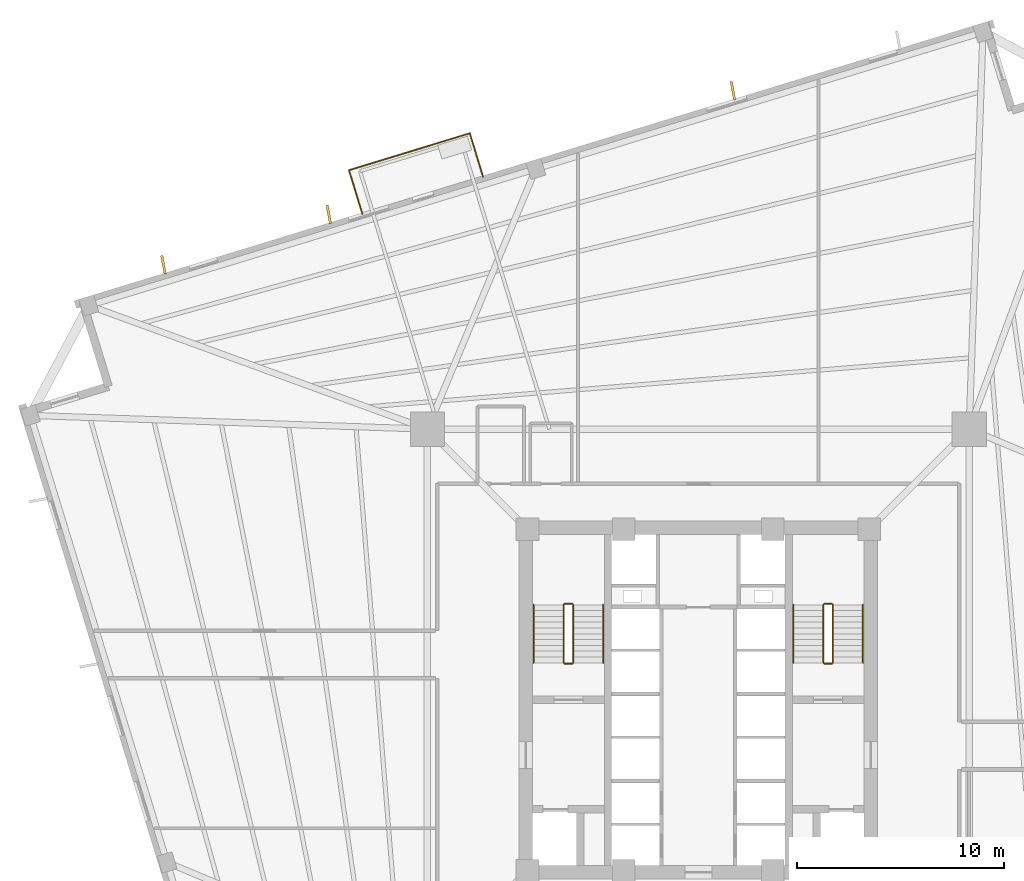
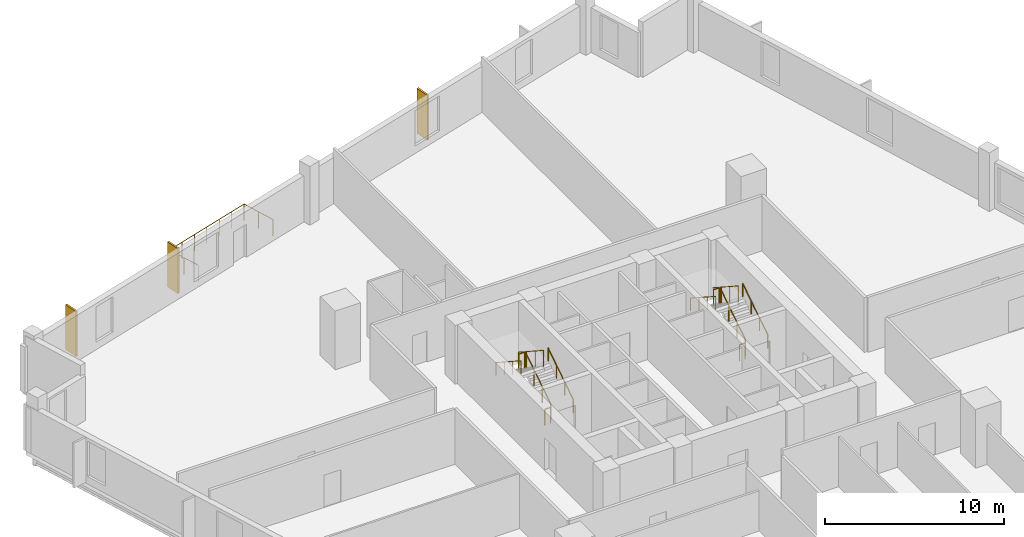
# One storey, part 7 of 8: 15 railings, 3 coverings.
"""IFC4 building model written with IfcOpenShell, lengths in metres."""

from ifc_helpers import new_model, si_unit, direction, frame, origin, origin_2d, place, context, subcontext, project, spatial, rectangle, circle, extrude, source, transform, mapped, material, layer, layer_set, type_object, element, save


model = new_model("IFC4")

# Units and contexts
model_context = context("Model", 3, precision=1e-05, world=origin(), true_north=direction((0.0, 1.0)))
body_context = subcontext(model_context, "Body", "Model", "MODEL_VIEW")
ifc_project = project(units=[si_unit("LENGTHUNIT", "METRE"), si_unit("AREAUNIT", "SQUARE_METRE"), si_unit("VOLUMEUNIT", "CUBIC_METRE"), si_unit("PLANEANGLEUNIT", "RADIAN"), si_unit("MASSUNIT", "GRAM", prefix="KILO"), si_unit("THERMODYNAMICTEMPERATUREUNIT", "KELVIN")], contexts=[model_context])

# Site, building, storey
site_placement = place(None, origin())
site = spatial("IfcSite", under=ifc_project, at=site_placement, CompositionType="ELEMENT")
building_placement = place(site_placement, origin())
building = spatial("IfcBuilding", under=site, at=building_placement, Name="Kosmvard Interchange Tower", CompositionType="ELEMENT")
storey_placement = place(building_placement, frame((0.0, 0.0, 111.199951171875)))
storey = spatial("IfcBuildingStorey", under=building, at=storey_placement, Name="L26", CompositionType="ELEMENT", Elevation=111.199951171875)

# Coverings
ifc_material_1 = material(Name="Architectural anodised aluminium", Category="aluminium")
ifc_layer = layer(ifc_material_1, 0.1201171875, Name="Architectural anodised aluminium")
ifc_layer_set = layer_set([ifc_layer], Name="Architectural anodised aluminium")
covering_type = type_object("IfcCoveringType", Name="Rotating Vertical Sun-Breaker Fin 900x120 Aluminium", PredefinedType="CLADDING", material=ifc_layer_set)
shared_shape_1 = source(origin(), body_context, "Body", "SweptSolid", [
    extrude(rectangle(XDim=0.89990234375, YDim=0.1201171875, at=origin_2d()), origin(), (0.0, 0.0, 1.0), 3.06005859375),
])
for number, where, z_axis, x_axis, name in (
    (1, (1.673583984375, 29.425048828125, 0.0400390625), (0.0, 0.0, 1.0), (-0.181549039717, 0.983381892338, 0.0), "L26 Rotating Vertical Sun-Breaker Fin 10"),
    (2, (-17.841796875, 23.45849609375, 0.0400390625), (0.0, 0.0, 1.0), (-0.181549039717, 0.983381892338, 0.0), "L26 Rotating Vertical Sun-Breaker Fin 11"),
    (3, (-25.825439453125, 21.017822265625, 0.0400390625), (0.0, 0.0, 1.0), (-0.181549039717, 0.983381892338, 0.0), "L26 Rotating Vertical Sun-Breaker Fin 12"),
):
    element("IfcCovering", number, at=place(storey_placement, frame(where, z_axis=z_axis, x_axis=x_axis)), inside=storey, type_object=covering_type, Name=name, PredefinedType="CLADDING", context=body_context, shape_type="MappedRepresentation", body=[
        mapped(shared_shape_1, transform((0.0, 0.0, 0.0), scale=1.0)),
    ])

# Railings
ifc_material_2 = material(Name="Steel S355", Category="steel")
railing_type_1 = type_object("IfcRailingType", Name="Observation & Balcony Glass-Infill Balustrade 1150", PredefinedType="BALUSTRADE", material=ifc_material_2)
shared_shape_2 = source(origin(), body_context, "Body", "SweptSolid", [
    extrude(circle(Radius=0.02392578125, at=origin_2d()), frame((0.0, 0.0, 1.1259765625), z_axis=(0.292291835236, -0.956329170869, 0.0), x_axis=(0.956329170869, 0.292291835236, 0.0)), (0.0, 0.0, 1.0), 2.2001953125),
    extrude(circle(Radius=0.02099609375, at=origin_2d()), origin(), (0.0, 0.0, 1.0), 1.101806640625),
    extrude(circle(Radius=0.02099609375, at=origin_2d()), frame((0.321533203125, -1.052001953125, 0.0)), (0.0, 0.0, 1.0), 1.101806640625),
    extrude(circle(Radius=0.02099609375, at=origin_2d()), frame((0.64306640625, -2.10400390625, 0.0)), (0.0, 0.0, 1.0), 1.101806640625),
])
railing_1_placement = place(storey_placement, frame((-16.86767578125, 25.58642578125, 0.0)))
element("IfcRailing", 4, at=railing_1_placement, inside=storey, type_object=railing_type_1, Name="L26 Outdoor Terrace Guard BAL-L26-NE-C", PredefinedType="BALUSTRADE", context=body_context, shape_type="MappedRepresentation", body=[
    mapped(shared_shape_2, transform((0.0, 0.0, 0.0), scale=1.0)),
])
shared_shape_3 = source(origin(), body_context, "Body", "SweptSolid", [
    extrude(circle(Radius=0.02392578125, at=origin_2d()), frame((0.0, 0.0, 1.1259765625), z_axis=(-0.292291835236, 0.956329170869, 0.0), x_axis=(-0.956329170869, -0.292291835236, 0.0)), (0.0, 0.0, 1.0), 2.2001953125),
    extrude(circle(Radius=0.02099609375, at=origin_2d()), origin(), (0.0, 0.0, 1.0), 1.101806640625),
    extrude(circle(Radius=0.02099609375, at=origin_2d()), frame((-0.321533203125, 1.052001953125, 0.0)), (0.0, 0.0, 1.0), 1.101806640625),
    extrude(circle(Radius=0.02099609375, at=origin_2d()), frame((-0.64306640625, 2.10400390625, 0.0)), (0.0, 0.0, 1.0), 1.101806640625),
])
railing_2_placement = place(storey_placement, frame((-10.39111328125, 25.265869140625, 0.0)))
element("IfcRailing", 5, at=railing_2_placement, inside=storey, type_object=railing_type_1, Name="L26 Outdoor Terrace Guard BAL-L26-NE-A", PredefinedType="BALUSTRADE", context=body_context, shape_type="MappedRepresentation", body=[
    mapped(shared_shape_3, transform((0.0, 0.0, 0.0), scale=1.0)),
])
shared_shape_4 = source(origin(), body_context, "Body", "SweptSolid", [
    extrude(circle(Radius=0.02392578125, at=origin_2d()), frame((0.0, 0.0, 1.1259765625), z_axis=(-0.956306198406, -0.292366986664, 0.0), x_axis=(0.292366986664, -0.956306198406, 0.0)), (0.0, 0.0, 1.0), 6.10009765625),
    extrude(circle(Radius=0.02099609375, at=origin_2d()), origin(), (0.0, 0.0, 1.0), 1.101806640625),
    extrude(circle(Radius=0.02099609375, at=origin_2d()), frame((-0.97216796875, -0.29736328125, 0.0)), (0.0, 0.0, 1.0), 1.101806640625),
    extrude(circle(Radius=0.02099609375, at=origin_2d()), frame((-1.944580078125, -0.594482421875, 0.0)), (0.0, 0.0, 1.0), 1.101806640625),
    extrude(circle(Radius=0.02099609375, at=origin_2d()), frame((-2.916748046875, -0.8916015625, 0.0)), (0.0, 0.0, 1.0), 1.101806640625),
    extrude(circle(Radius=0.02099609375, at=origin_2d()), frame((-3.888916015625, -1.18896484375, 0.0)), (0.0, 0.0, 1.0), 1.101806640625),
    extrude(circle(Radius=0.02099609375, at=origin_2d()), frame((-4.861328125, -1.486328125, 0.0)), (0.0, 0.0, 1.0), 1.101806640625),
    extrude(circle(Radius=0.02099609375, at=origin_2d()), frame((-5.83349609375, -1.783447265625, 0.0)), (0.0, 0.0, 1.0), 1.101806640625),
])
railing_3_placement = place(storey_placement, frame((-11.0341796875, 27.369873046875, 0.0)))
element("IfcRailing", 6, at=railing_3_placement, inside=storey, type_object=railing_type_1, Name="L26 Outdoor Terrace Guard BAL-L26-NE-B", PredefinedType="BALUSTRADE", context=body_context, shape_type="MappedRepresentation", body=[
    mapped(shared_shape_4, transform((0.0, 0.0, 0.0), scale=1.0)),
])
railing_type_2 = type_object("IfcRailingType", Name="Stair & Terrace Safety Guardrail 1100 Steel", PredefinedType="GUARDRAIL", material=ifc_material_2)
shared_shape_5 = source(origin(), body_context, "Body", "SweptSolid", [
    extrude(circle(Radius=0.02392578125, at=origin_2d()), frame((0.0, 0.0, 1.076171875), z_axis=(-1.0, 0.0, 0.0), x_axis=(0.0, -1.0, 0.0)), (0.0, 0.0, 1.0), 0.35986328125),
    extrude(circle(Radius=0.02099609375, at=origin_2d()), origin(), (0.0, 0.0, 1.0), 1.052001953125),
    extrude(circle(Radius=0.02099609375, at=origin_2d()), frame((-0.35986328125, 0.0, 0.0)), (0.0, 0.0, 1.0), 1.052001953125),
])
for number, where, name in (
    (7, (-6.090087890625, 4.64990234375, 2.0), "L26 ST-1 stair guard 2"),
    (8, (-6.090087890625, 1.75, 0.0), "L26 ST-1 stair guard 4"),
    (9, (6.449951171875, 4.64990234375, 2.0), "L26 ST-2 stair guard 2"),
    (10, (6.449951171875, 1.75, 0.0), "L26 ST-2 stair guard 4"),
):
    element("IfcRailing", number, at=place(storey_placement, frame(where)), inside=storey, type_object=railing_type_2, Name=name, PredefinedType="GUARDRAIL", context=body_context, shape_type="MappedRepresentation", body=[
        mapped(shared_shape_5, transform((0.0, 0.0, 0.0), scale=1.0)),
    ])
shared_shape_6 = source(origin(), body_context, "Body", "SweptSolid", [
    extrude(circle(Radius=0.02392578125, at=origin_2d()), frame((0.0, 0.0, 1.076171875), z_axis=(0.0, 0.838705829183, 0.544584733623), x_axis=(-1.0, 0.0, 0.0)), (0.0, 0.0, 1.0), 3.338623046875),
    extrude(circle(Radius=0.02099609375, at=origin_2d()), origin(), (0.0, 0.0, 1.0), 1.052001953125),
    extrude(circle(Radius=0.02099609375, at=origin_2d()), frame((0.0, 0.933349609375, 0.60595703125)), (0.0, 0.0, 1.0), 1.052001953125),
    extrude(circle(Radius=0.02099609375, at=origin_2d()), frame((0.0, 1.86669921875, 1.212158203125)), (0.0, 0.0, 1.0), 1.052001953125),
    extrude(circle(Radius=0.02099609375, at=origin_2d()), frame((0.0, 2.800048828125, 1.818115234375)), (0.0, 0.0, 1.0), 1.052001953125),
])
for number, where, name in (
    (11, (-6.0400390625, 1.800048828125, 0.181884765625), "L26 ST-1 stair guard 1"),
    (12, (6.5, 1.800048828125, 0.181884765625), "L26 ST-2 stair guard 1"),
):
    element("IfcRailing", number, at=place(storey_placement, frame(where)), inside=storey, type_object=railing_type_2, Name=name, PredefinedType="GUARDRAIL", context=body_context, shape_type="MappedRepresentation", body=[
        mapped(shared_shape_6, transform((0.0, 0.0, 0.0), scale=1.0)),
    ])
shared_shape_7 = source(origin(), body_context, "Body", "SweptSolid", [
    extrude(circle(Radius=0.02392578125, at=origin_2d()), frame((0.0, 0.0, 1.076171875), z_axis=(0.0, -0.838705829183, 0.544584733623), x_axis=(1.0, 0.0, 0.0)), (0.0, 0.0, 1.0), 3.338623046875),
    extrude(circle(Radius=0.02099609375, at=origin_2d()), origin(), (0.0, 0.0, 1.0), 1.052001953125),
    extrude(circle(Radius=0.02099609375, at=origin_2d()), frame((0.0, -0.933349609375, 0.60595703125)), (0.0, 0.0, 1.0), 1.052001953125),
    extrude(circle(Radius=0.02099609375, at=origin_2d()), frame((0.0, -1.86669921875, 1.212158203125)), (0.0, 0.0, 1.0), 1.052001953125),
    extrude(circle(Radius=0.02099609375, at=origin_2d()), frame((0.0, -2.800048828125, 1.818115234375)), (0.0, 0.0, 1.0), 1.052001953125),
])
for number, where, name in (
    (13, (-6.5, 4.60009765625, 2.181884765625), "L26 ST-1 stair guard 3"),
    (14, (6.0400390625, 4.60009765625, 2.181884765625), "L26 ST-2 stair guard 3"),
):
    element("IfcRailing", number, at=place(storey_placement, frame(where)), inside=storey, type_object=railing_type_2, Name=name, PredefinedType="GUARDRAIL", context=body_context, shape_type="MappedRepresentation", body=[
        mapped(shared_shape_7, transform((0.0, 0.0, 0.0), scale=1.0)),
    ])
railing_type_3 = type_object("IfcRailingType", Name="Wall-Mounted Stair Handrail 900 Steel", PredefinedType="HANDRAIL", material=ifc_material_2)
shared_shape_8 = source(origin(), body_context, "Body", "SweptSolid", [
    extrude(circle(Radius=0.02392578125, at=origin_2d()), frame((0.0, 0.0, 0.8759765625), z_axis=(0.0, 0.838705829183, 0.544584733623), x_axis=(-1.0, 0.0, 0.0)), (0.0, 0.0, 1.0), 3.338623046875),
    extrude(circle(Radius=0.02099609375, at=origin_2d()), origin(), (0.0, 0.0, 1.0), 0.851806640625),
    extrude(circle(Radius=0.02099609375, at=origin_2d()), frame((0.0, 0.933349609375, 0.60595703125)), (0.0, 0.0, 1.0), 0.851806640625),
    extrude(circle(Radius=0.02099609375, at=origin_2d()), frame((0.0, 1.86669921875, 1.212158203125)), (0.0, 0.0, 1.0), 0.851806640625),
    extrude(circle(Radius=0.02099609375, at=origin_2d()), frame((0.0, 2.800048828125, 1.818115234375)), (0.0, 0.0, 1.0), 0.851806640625),
])
for number, where, name in (
    (15, (-4.590087890625, 1.800048828125, 0.181884765625), "L26 ST-1 stair handrail 1"),
    (16, (7.949951171875, 1.800048828125, 0.181884765625), "L26 ST-2 stair handrail 1"),
):
    element("IfcRailing", number, at=place(storey_placement, frame(where)), inside=storey, type_object=railing_type_3, Name=name, PredefinedType="HANDRAIL", context=body_context, shape_type="MappedRepresentation", body=[
        mapped(shared_shape_8, transform((0.0, 0.0, 0.0), scale=1.0)),
    ])
shared_shape_9 = source(origin(), body_context, "Body", "SweptSolid", [
    extrude(circle(Radius=0.02392578125, at=origin_2d()), frame((0.0, 0.0, 0.8759765625), z_axis=(0.0, -0.838705829183, 0.544584733623), x_axis=(1.0, 0.0, 0.0)), (0.0, 0.0, 1.0), 3.338623046875),
    extrude(circle(Radius=0.02099609375, at=origin_2d()), origin(), (0.0, 0.0, 1.0), 0.851806640625),
    extrude(circle(Radius=0.02099609375, at=origin_2d()), frame((0.0, -0.933349609375, 0.60595703125)), (0.0, 0.0, 1.0), 0.851806640625),
    extrude(circle(Radius=0.02099609375, at=origin_2d()), frame((0.0, -1.86669921875, 1.212158203125)), (0.0, 0.0, 1.0), 0.851806640625),
    extrude(circle(Radius=0.02099609375, at=origin_2d()), frame((0.0, -2.800048828125, 1.818115234375)), (0.0, 0.0, 1.0), 0.851806640625),
])
for number, where, name in (
    (17, (-7.949951171875, 4.60009765625, 2.181884765625), "L26 ST-1 stair handrail 2"),
    (18, (4.590087890625, 4.60009765625, 2.181884765625), "L26 ST-2 stair handrail 2"),
):
    element("IfcRailing", number, at=place(storey_placement, frame(where)), inside=storey, type_object=railing_type_3, Name=name, PredefinedType="HANDRAIL", context=body_context, shape_type="MappedRepresentation", body=[
        mapped(shared_shape_9, transform((0.0, 0.0, 0.0), scale=1.0)),
    ])

save(model, "model.ifc")
